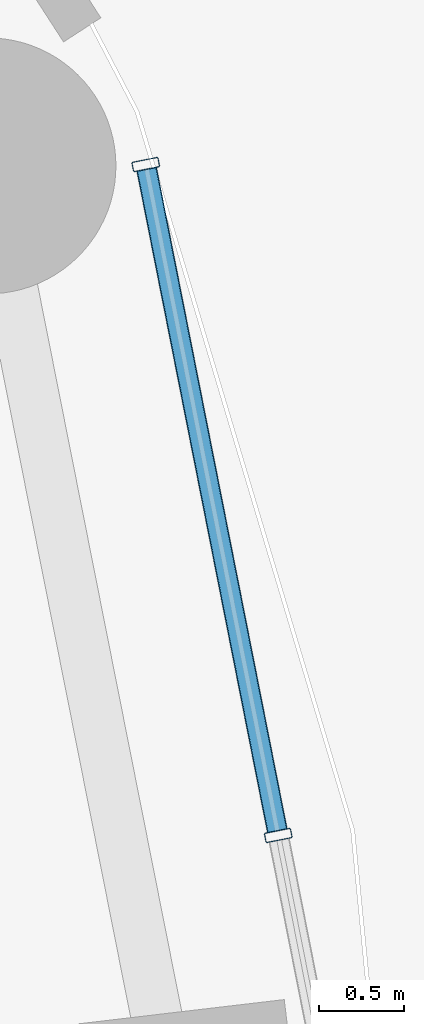
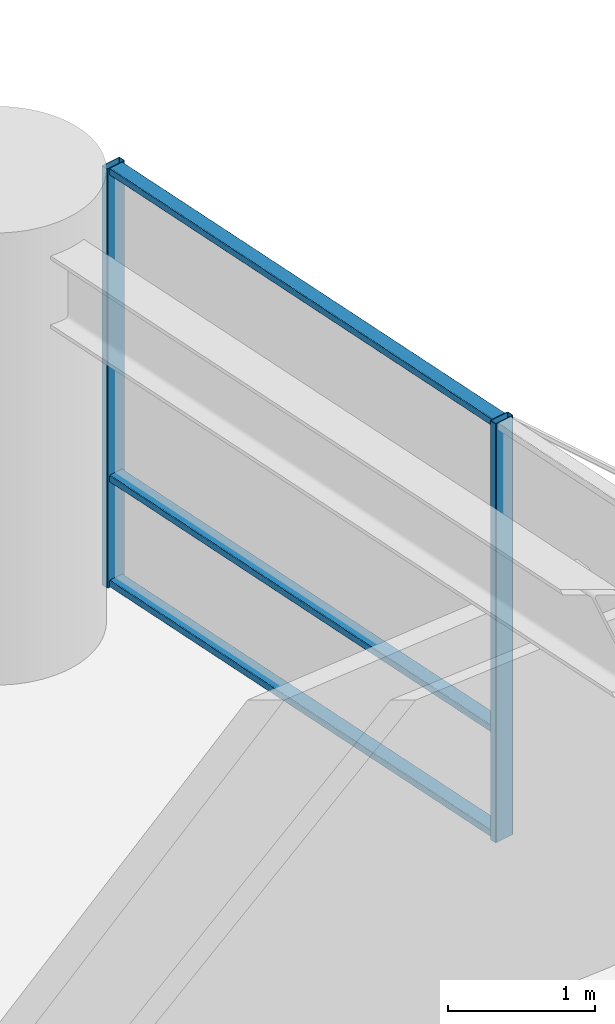
# One storey, part 20 of 32: 5 members, 1 element without a shape of its own.
"""IFC4 building model written with IfcOpenShell, lengths in metres."""

from ifc_helpers import new_model, si_unit, direction, frame, origin, origin_2d, place, context, subcontext, project, spatial, hollow_rectangle, extrude, material, layer, layer_set, material_profile, profile_set, type_object, element, aggregate, save


model = new_model("IFC4")

# Units and contexts
model_context = context("Model", 3, precision=1e-05, world=origin(), true_north=direction((0.0, 1.0)))
body_context = subcontext(model_context, "Body", "Model", "MODEL_VIEW")
ifc_project = project(units=[si_unit("LENGTHUNIT", "METRE"), si_unit("AREAUNIT", "SQUARE_METRE"), si_unit("VOLUMEUNIT", "CUBIC_METRE"), si_unit("PLANEANGLEUNIT", "RADIAN"), si_unit("MASSUNIT", "GRAM", prefix="KILO")], contexts=[model_context])

# Site, building, storey
site_placement = place(None, origin())
site = spatial("IfcSite", under=ifc_project, at=site_placement, CompositionType="ELEMENT")
building_placement = place(site_placement, origin())
building = spatial("IfcBuilding", under=site, at=building_placement, Name="Kelanora Arch Commons", CompositionType="ELEMENT")
storey_placement = place(building_placement, frame((0.0, 0.0, 52.5)))
storey = spatial("IfcBuildingStorey", under=building, at=storey_placement, Name="L13", CompositionType="ELEMENT", Elevation=52.5)

# Curtain wall, members
ifc_material_1 = material(Name="Terracotta ceramic-fritted low-E glass and aluminium", Category="masonry")
ifc_layer = layer(ifc_material_1, 0.159912109375)
ifc_layer_set = layer_set([ifc_layer], Name="Terracotta ceramic-fritted low-E glass and aluminium")
curtain_wall_type = type_object("IfcCurtainWallType", Name="CW-SYS-01", PredefinedType="NOTDEFINED", material=ifc_layer_set)
curtain_wall_placement = place(storey_placement, origin())
curtain_wall = element("IfcCurtainWall", 1, at=curtain_wall_placement, inside=storey, type_object=curtain_wall_type, Name="Unitised Curtain Wall L13-B00", PredefinedType="NOTDEFINED")
ifc_material_2 = material(Name="Powder-coated aluminium terracotta", Category="masonry")
ifc_material_profile_1 = material_profile(ifc_material_2, hollow_rectangle(XDim=0.159912109375, YDim=0.06005859375, WallThickness=0.0048828125, InnerFilletRadius=0.0048828125, OuterFilletRadius=0.010009765625, at=origin_2d()), Name="CWM160x60")
ifc_profile_set_1 = profile_set([ifc_material_profile_1], Name="Powder-coated aluminium terracotta")
member_type_1 = type_object("IfcMemberType", Name="CWM-STD", PredefinedType="MULLION", material=ifc_profile_set_1)
member_1_placement = place(storey_placement, frame((101.1484375, 62.3115234375, 0.0), z_axis=(0.0, 0.0, 1.0), x_axis=(-0.981052110579, -0.193744048498, 0.0)))
member_1 = element("IfcMember", 2, at=member_1_placement, type_object=member_type_1, Name="CW-01 mullion 2", PredefinedType="MULLION", context=body_context, shape_type="SweptSolid", body=[
    extrude(hollow_rectangle(XDim=0.159912109375, YDim=0.06005859375, WallThickness=0.0048828125, InnerFilletRadius=0.0048828125, OuterFilletRadius=0.010009765625, at=origin_2d()), origin(), (0.0, 0.0, 1.0), 3.47509765625),
])
member_2_placement = place(storey_placement, frame((100.371826171875, 66.243896484375, 0.0), z_axis=(0.0, 0.0, 1.0), x_axis=(-0.981052110579, -0.193744048498, 0.0)))
member_2 = element("IfcMember", 3, at=member_2_placement, type_object=member_type_1, Name="CW-01 mullion 3", PredefinedType="MULLION", context=body_context, shape_type="SweptSolid", body=[
    extrude(hollow_rectangle(XDim=0.159912109375, YDim=0.06005859375, WallThickness=0.0048828125, InnerFilletRadius=0.0048828125, OuterFilletRadius=0.010009765625, at=origin_2d()), origin(), (0.0, 0.0, 1.0), 3.47509765625),
])
ifc_material_profile_2 = material_profile(ifc_material_2, hollow_rectangle(XDim=0.1201171875, YDim=0.06005859375, WallThickness=0.0048828125, InnerFilletRadius=0.0048828125, OuterFilletRadius=0.010009765625, at=origin_2d()), Name="CWT120x60")
ifc_profile_set_2 = profile_set([ifc_material_profile_2], Name="Powder-coated aluminium terracotta")
member_type_2 = type_object("IfcMemberType", Name="CWT-STD", PredefinedType="USERDEFINED", material=ifc_profile_set_2)
member_3_placement = place(storey_placement, frame((101.142578125, 62.3408203125, 0.030029296875), z_axis=(-0.193725436624, 0.98105578598, 0.0), x_axis=(-0.98105578598, -0.193725436624, 0.0)))
member_3 = element("IfcMember", 4, at=member_3_placement, type_object=member_type_2, Name="CW-01 transom 2.1", ObjectType="TRANSOM", PredefinedType="USERDEFINED", context=body_context, shape_type="SweptSolid", body=[
    extrude(hollow_rectangle(XDim=0.1201171875, YDim=0.06005859375, WallThickness=0.0048828125, InnerFilletRadius=0.0048828125, OuterFilletRadius=0.010009765625, at=origin_2d()), origin(), (0.0, 0.0, 1.0), 3.9482421875),
])
member_4_placement = place(storey_placement, frame((101.142578125, 62.3408203125, 0.89990234375), z_axis=(-0.193725436624, 0.98105578598, 0.0), x_axis=(-0.98105578598, -0.193725436624, 0.0)))
member_4 = element("IfcMember", 5, at=member_4_placement, type_object=member_type_2, Name="CW-01 transom 2.2", ObjectType="TRANSOM", PredefinedType="USERDEFINED", context=body_context, shape_type="SweptSolid", body=[
    extrude(hollow_rectangle(XDim=0.1201171875, YDim=0.06005859375, WallThickness=0.0048828125, InnerFilletRadius=0.0048828125, OuterFilletRadius=0.010009765625, at=origin_2d()), origin(), (0.0, 0.0, 1.0), 3.9482421875),
])
member_5_placement = place(storey_placement, frame((101.142578125, 62.3408203125, 3.445068359375), z_axis=(-0.193725436624, 0.98105578598, 0.0), x_axis=(-0.98105578598, -0.193725436624, 0.0)))
member_5 = element("IfcMember", 6, at=member_5_placement, type_object=member_type_2, Name="CW-01 transom 2.3", ObjectType="TRANSOM", PredefinedType="USERDEFINED", context=body_context, shape_type="SweptSolid", body=[
    extrude(hollow_rectangle(XDim=0.1201171875, YDim=0.06005859375, WallThickness=0.0048828125, InnerFilletRadius=0.0048828125, OuterFilletRadius=0.010009765625, at=origin_2d()), origin(), (0.0, 0.0, 1.0), 3.9482421875),
])
aggregate(curtain_wall, [member_1, member_2, member_3, member_4, member_5])

save(model, "model.ifc")
